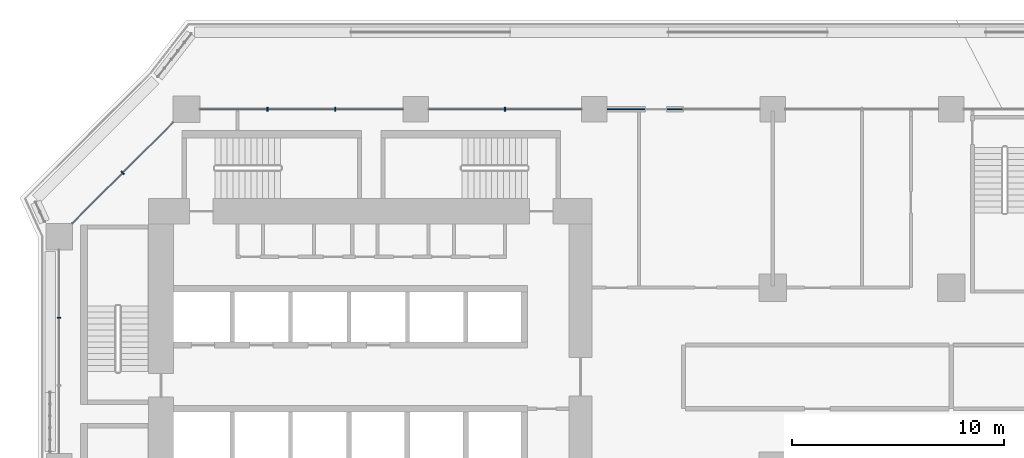
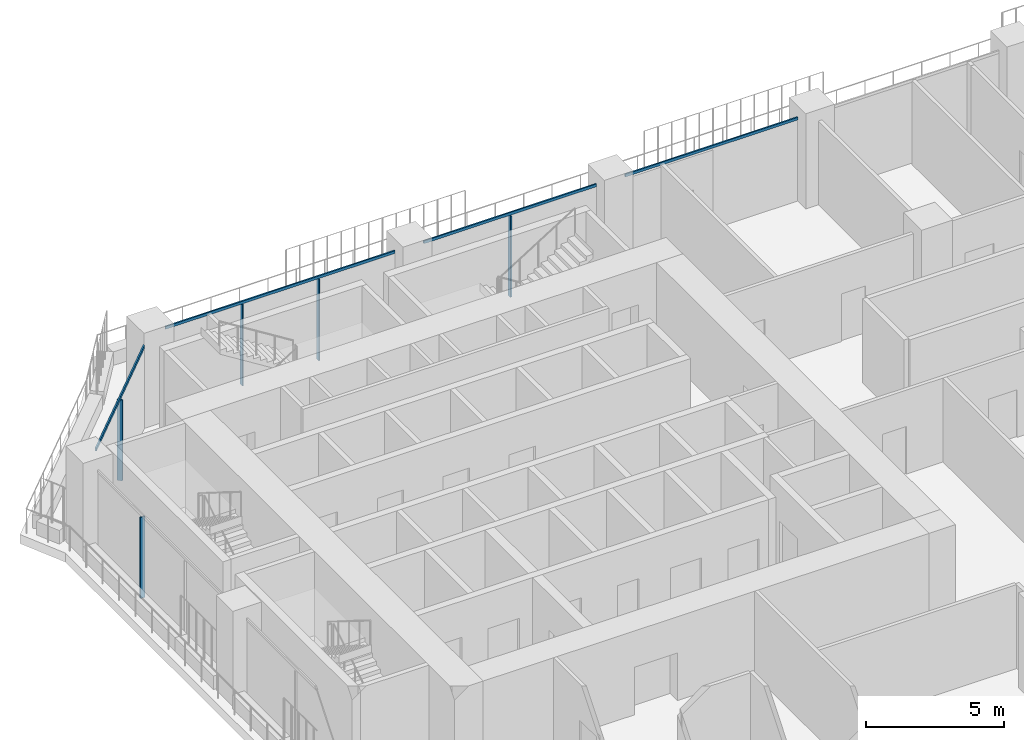
# One storey, part 7 of 28: 9 members, 3 elements without a shape of their own.
"""IFC4 building model written with IfcOpenShell, lengths in metres."""

from ifc_helpers import new_model, si_unit, direction, frame, origin, origin_2d, place, context, subcontext, project, spatial, rectangle, extrude, material, layer, layer_set, material_profile, profile_set, type_object, element, aggregate, save


model = new_model("IFC4")

# Units and contexts
model_context = context("Model", 3, precision=1e-05, world=origin(), true_north=direction((0.0, 1.0)))
body_context = subcontext(model_context, "Body", "Model", "MODEL_VIEW")
ifc_project = project(units=[si_unit("LENGTHUNIT", "METRE"), si_unit("AREAUNIT", "SQUARE_METRE"), si_unit("VOLUMEUNIT", "CUBIC_METRE"), si_unit("PLANEANGLEUNIT", "RADIAN"), si_unit("MASSUNIT", "GRAM", prefix="KILO")], contexts=[model_context])

# Site, building, storey
site_placement = place(None, origin())
site = spatial("IfcSite", under=ifc_project, at=site_placement, CompositionType="ELEMENT")
building_placement = place(site_placement, origin())
building = spatial("IfcBuilding", under=site, at=building_placement, Name="Kawkab Arch Medical Tower", CompositionType="ELEMENT")
storey_placement = place(building_placement, frame((0.0, 0.0, 89.60009765625)))
storey = spatial("IfcBuildingStorey", under=building, at=storey_placement, Name="L20", CompositionType="ELEMENT", Elevation=89.60009765625)

# Curtain wall, member
ifc_material_1 = material(Name="Bronze anodised aluminium curtain wall frame", Category="aluminium")
ifc_layer_1 = layer(ifc_material_1, 0.159912109375)
ifc_layer_set_1 = layer_set([ifc_layer_1], Name="Bronze anodised aluminium curtain wall frame")
curtain_wall_type_1 = type_object("IfcCurtainWallType", Name="CW1 ward curtain wall", PredefinedType="NOTDEFINED", material=ifc_layer_set_1)
placement = place(storey_placement, origin())
curtain_wall_1 = element("IfcCurtainWall", 1, at=placement, inside=storey, type_object=curtain_wall_type_1, Name="CW1 Ward curtain wall R01", PredefinedType="NOTDEFINED")
ifc_material_2 = material(Name="Bronze anodised aluminium curtain wall frame", Category="aluminium")
ifc_material_profile_1 = material_profile(ifc_material_2, rectangle(XDim=0.179931640625, YDim=0.06005859375, at=origin_2d()), Name="AL 60x180")
ifc_profile_set_1 = profile_set([ifc_material_profile_1], Name="Bronze anodised aluminium curtain wall frame")
member_type_1 = type_object("IfcMemberType", Name="CW1 mullion 60 x 180", PredefinedType="MULLION", material=ifc_profile_set_1)
member_1_placement = place(storey_placement, frame((0.0, -9.816650390625, 0.0), z_axis=(0.0, 0.0, 1.0), x_axis=(1.0, 0.0, 0.0)))
member_1 = element("IfcMember", 2, at=member_1_placement, type_object=member_type_1, Name="CW1 mullion 1.1", PredefinedType="MULLION", context=body_context, shape_type="SweptSolid", body=[
    extrude(rectangle(XDim=0.179931640625, YDim=0.06005859375, at=origin_2d()), origin(), (0.0, 0.0, 1.0), 3.579833984375),
])
aggregate(curtain_wall_1, [member_1])

# Curtain wall, members
curtain_wall_2 = element("IfcCurtainWall", 3, at=placement, inside=storey, type_object=curtain_wall_type_1, Name="CW1 Ward curtain wall R11", PredefinedType="NOTDEFINED")
member_2_placement = place(storey_placement, frame((21.0, 0.0, 0.0), z_axis=(0.0, 0.0, 1.0), x_axis=(0.0, -1.0, 0.0)))
member_2 = element("IfcMember", 4, at=member_2_placement, type_object=member_type_1, Name="CW1 mullion 7.1", PredefinedType="MULLION", context=body_context, shape_type="SweptSolid", body=[
    extrude(rectangle(XDim=0.179931640625, YDim=0.06005859375, at=origin_2d()), origin(), (0.0, 0.0, 1.0), 3.579833984375),
])
member_3_placement = place(storey_placement, frame((13.00830078125, 0.0, 0.0), z_axis=(0.0, 0.0, 1.0), x_axis=(0.0, -1.0, 0.0)))
member_3 = element("IfcMember", 5, at=member_3_placement, type_object=member_type_1, Name="CW1 mullion 8.1", PredefinedType="MULLION", context=body_context, shape_type="SweptSolid", body=[
    extrude(rectangle(XDim=0.179931640625, YDim=0.06005859375, at=origin_2d()), origin(), (0.0, 0.0, 1.0), 3.579833984375),
])
member_4_placement = place(storey_placement, frame((9.816650390625, 0.0, 0.0), z_axis=(0.0, 0.0, 1.0), x_axis=(0.0, -1.0, 0.0)))
member_4 = element("IfcMember", 6, at=member_4_placement, type_object=member_type_1, Name="CW1 mullion 8.2", PredefinedType="MULLION", context=body_context, shape_type="SweptSolid", body=[
    extrude(rectangle(XDim=0.179931640625, YDim=0.06005859375, at=origin_2d()), origin(), (0.0, 0.0, 1.0), 3.579833984375),
])
ifc_material_3 = material(Name="Bronze anodised aluminium curtain wall frame", Category="aluminium")
ifc_material_profile_2 = material_profile(ifc_material_3, rectangle(XDim=0.06005859375, YDim=0.1201171875, at=origin_2d()), Name="AL 60x120")
ifc_profile_set_2 = profile_set([ifc_material_profile_2], Name="Bronze anodised aluminium curtain wall frame")
member_type_2 = type_object("IfcMemberType", Name="CW1 transom 120 x 60", PredefinedType="USERDEFINED", material=ifc_profile_set_2)
member_5_placement = place(storey_placement, frame((33.0, 0.0, 3.639892578125), z_axis=(-1.0, 0.0, 0.0), x_axis=(0.0, -1.0, 0.0)))
member_5 = element("IfcMember", 7, at=member_5_placement, type_object=member_type_2, Name="CW1 transom 6", ObjectType="TRANSOM", PredefinedType="USERDEFINED", context=body_context, shape_type="SweptSolid", body=[
    extrude(rectangle(XDim=0.06005859375, YDim=0.1201171875, at=origin_2d()), origin(), (0.0, 0.0, 1.0), 7.199951171875),
])
member_6_placement = place(storey_placement, frame((24.60009765625, 0.0, 3.639892578125), z_axis=(-1.0, 0.0, 0.0), x_axis=(0.0, -1.0, 0.0)))
member_6 = element("IfcMember", 8, at=member_6_placement, type_object=member_type_2, Name="CW1 transom 7", ObjectType="TRANSOM", PredefinedType="USERDEFINED", context=body_context, shape_type="SweptSolid", body=[
    extrude(rectangle(XDim=0.06005859375, YDim=0.1201171875, at=origin_2d()), origin(), (0.0, 0.0, 1.0), 7.2001953125),
])
member_7_placement = place(storey_placement, frame((16.199951171875, 0.0, 3.639892578125), z_axis=(-1.0, 0.0, 0.0), x_axis=(0.0, -1.0, 0.0)))
member_7 = element("IfcMember", 9, at=member_7_placement, type_object=member_type_2, Name="CW1 transom 8", ObjectType="TRANSOM", PredefinedType="USERDEFINED", context=body_context, shape_type="SweptSolid", body=[
    extrude(rectangle(XDim=0.06005859375, YDim=0.1201171875, at=origin_2d()), origin(), (0.0, 0.0, 1.0), 9.574951171875),
])
aggregate(curtain_wall_2, [member_5, member_6, member_2, member_7, member_3, member_4])

ifc_material_4 = material(Name="Bronze anodised aluminium curtain wall frame", Category="aluminium")
ifc_layer_2 = layer(ifc_material_4, 0.159912109375)
ifc_layer_set_2 = layer_set([ifc_layer_2], Name="Bronze anodised aluminium curtain wall frame")
curtain_wall_type_2 = type_object("IfcCurtainWallType", Name="CW2 chamfer curtain wall", PredefinedType="NOTDEFINED", material=ifc_layer_set_2)
curtain_wall_3 = element("IfcCurtainWall", 10, at=placement, inside=storey, type_object=curtain_wall_type_2, Name="CW2 Chamfer curtain wall R12", PredefinedType="NOTDEFINED")
ifc_material_5 = material(Name="Bronze anodised aluminium curtain wall frame", Category="aluminium")
ifc_material_profile_3 = material_profile(ifc_material_5, rectangle(XDim=0.199951171875, YDim=0.06005859375, at=origin_2d()), Name="AL 60x200")
ifc_profile_set_3 = profile_set([ifc_material_profile_3], Name="Bronze anodised aluminium curtain wall frame")
member_type_3 = type_object("IfcMemberType", Name="CW2 mullion 60 x 200", PredefinedType="MULLION", material=ifc_profile_set_3)
member_8_placement = place(storey_placement, frame((3.0, -3.0, 0.0), z_axis=(0.0, 0.0, 1.0), x_axis=(0.707106781187, -0.707106781187, 0.0)))
member_8 = element("IfcMember", 11, at=member_8_placement, type_object=member_type_3, Name="CW2 mullion 1.1", PredefinedType="MULLION", context=body_context, shape_type="SweptSolid", body=[
    extrude(rectangle(XDim=0.199951171875, YDim=0.06005859375, at=origin_2d()), origin(), (0.0, 0.0, 1.0), 3.559814453125),
])
ifc_material_6 = material(Name="Bronze anodised aluminium curtain wall frame", Category="aluminium")
ifc_material_profile_4 = material_profile(ifc_material_6, rectangle(XDim=0.06005859375, YDim=0.139892578125, at=origin_2d()), Name="AL 60x140")
ifc_profile_set_4 = profile_set([ifc_material_profile_4], Name="Bronze anodised aluminium curtain wall frame")
member_type_4 = type_object("IfcMemberType", Name="CW2 transom 140 x 60", PredefinedType="USERDEFINED", material=ifc_profile_set_4)
member_9_placement = place(storey_placement, frame((5.375, -0.625, 3.6298828125), z_axis=(-0.707106781187, -0.707106781187, 0.0), x_axis=(0.707106781187, -0.707106781187, 0.0)))
member_9 = element("IfcMember", 12, at=member_9_placement, type_object=member_type_4, Name="CW2 transom 1", ObjectType="TRANSOM", PredefinedType="USERDEFINED", context=body_context, shape_type="SweptSolid", body=[
    extrude(rectangle(XDim=0.06005859375, YDim=0.139892578125, at=origin_2d()), origin(), (0.0, 0.0, 1.0), 6.717529296875),
])
aggregate(curtain_wall_3, [member_9, member_8])

save(model, "model.ifc")
